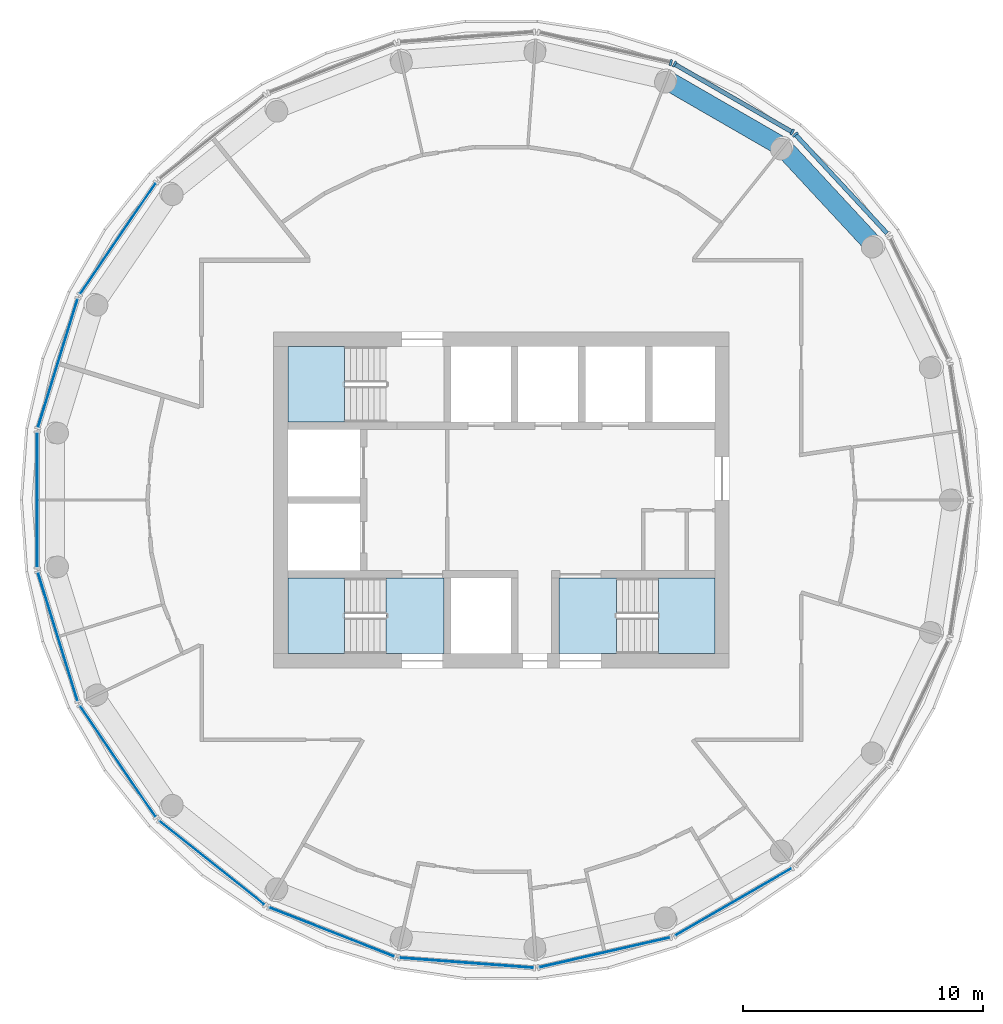
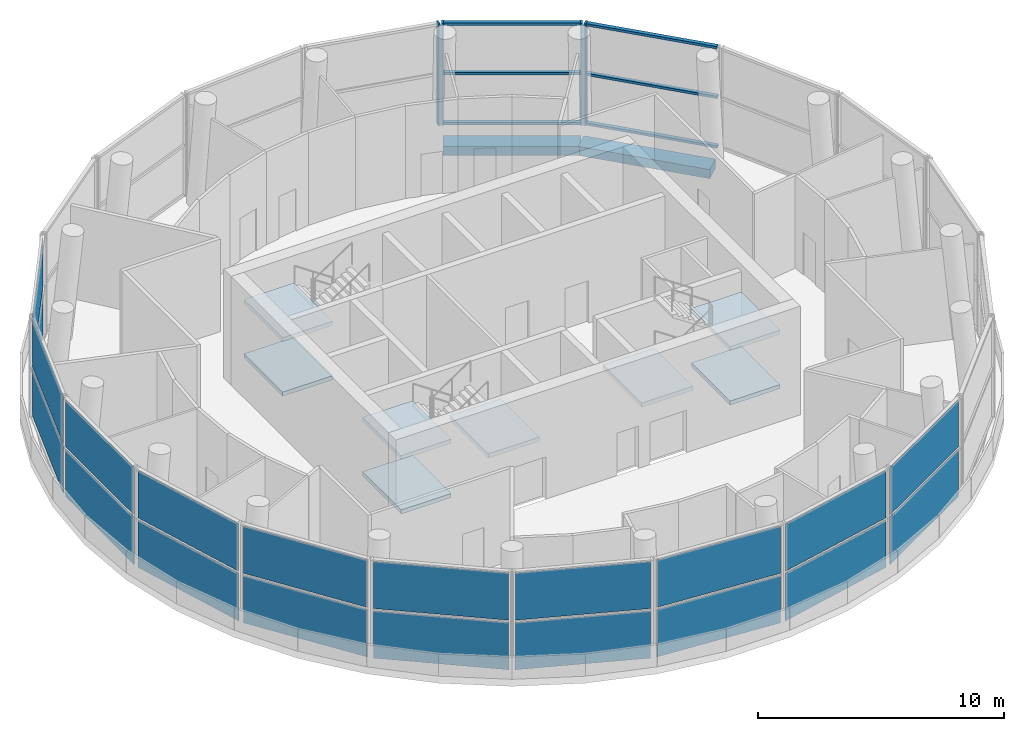
# One storey, part 3 of 11: 20 plates, 10 members, 8 slabs, 2 beams, 16 elements without a shape of their own.
"""IFC4 building model written with IfcOpenShell, lengths in metres."""

from ifc_helpers import new_model, si_unit, direction, frame, origin, origin_2d, place, context, subcontext, project, spatial, polyline, rectangle, outline, extrude, material, layer, layer_set, material_profile, profile_set, type_object, element, aggregate, save


model = new_model("IFC4")

# Units and contexts
model_context = context("Model", 3, precision=1e-05, world=origin(), true_north=direction((0.0, 1.0)))
body_context = subcontext(model_context, "Body", "Model", "MODEL_VIEW")
ifc_project = project(units=[si_unit("LENGTHUNIT", "METRE"), si_unit("AREAUNIT", "SQUARE_METRE"), si_unit("VOLUMEUNIT", "CUBIC_METRE"), si_unit("PLANEANGLEUNIT", "RADIAN"), si_unit("MASSUNIT", "GRAM", prefix="KILO")], contexts=[model_context])

# Site, building, storey
site_placement = place(None, origin())
site = spatial("IfcSite", under=ifc_project, at=site_placement, CompositionType="ELEMENT")
building_placement = place(site_placement, origin())
building = spatial("IfcBuilding", under=site, at=building_placement, Name="Tracery Tower", CompositionType="ELEMENT")
storey_placement = place(building_placement, frame((0.0, 0.0, 330.60009765625)))
storey = spatial("IfcBuildingStorey", under=building, at=storey_placement, Name="L86", CompositionType="ELEMENT", Elevation=330.60009765625)

# Curtain wall, member
ifc_material_1 = material(Name="Aluminium curtain wall with tinted glass", Category="aluminium")
curtain_wall_type = type_object("IfcCurtainWallType", Name="Glazed crown lower curtain wall", PredefinedType="NOTDEFINED", material=ifc_material_1)
curtain_wall_1_placement = place(storey_placement, origin())
curtain_wall_1 = element("IfcCurtainWall", 1, at=curtain_wall_1_placement, inside=storey, type_object=curtain_wall_type, Name="Glazed crown lower run 02", PredefinedType="NOTDEFINED")
ifc_material_2 = material(Name="Aluminium, bronze anodised", Category="aluminium")
ifc_material_profile_1 = material_profile(ifc_material_2, rectangle(XDim=0.260009765625, YDim=0.090087890625, at=origin_2d()), Name="Glazed crown lower mullion 90 x 260")
ifc_profile_set_1 = profile_set([ifc_material_profile_1], Name="Aluminium, bronze anodised")
member_type_1 = type_object("IfcMemberType", Name="Glazed crown lower mullion 90 x 260", PredefinedType="MULLION", material=ifc_profile_set_1)
member_1_placement = place(storey_placement, frame((12.260986328125, 15.23974609375, 0.0), z_axis=(0.0, 0.0, 1.0), x_axis=(-0.733054024264, -0.680170417991, 0.0)))
member_1 = element("IfcMember", 2, at=member_1_placement, type_object=member_type_1, Name="CWB2 mullion 2", PredefinedType="MULLION", context=body_context, shape_type="SweptSolid", body=[
    extrude(rectangle(XDim=0.260009765625, YDim=0.090087890625, at=origin_2d()), origin(), (0.0, 0.0, 1.0), 5.0498046875),
])

# Curtain wall, members
curtain_wall_2_placement = place(storey_placement, origin())
curtain_wall_2 = element("IfcCurtainWall", 3, at=curtain_wall_2_placement, inside=storey, type_object=curtain_wall_type, Name="Glazed crown lower run 03", PredefinedType="NOTDEFINED")
member_2_placement = place(storey_placement, frame((12.12939453125, 15.3447265625, 0.0), z_axis=(0.0, 0.0, 1.0), x_axis=(-0.499993240242, -0.866029306498, 0.0)))
member_2 = element("IfcMember", 4, at=member_2_placement, type_object=member_type_1, Name="CWB2 mullion 1", PredefinedType="MULLION", context=body_context, shape_type="SweptSolid", body=[
    extrude(rectangle(XDim=0.260009765625, YDim=0.090087890625, at=origin_2d()), origin(), (0.0, 0.0, 1.0), 5.0498046875),
])
member_3_placement = place(storey_placement, frame((7.22412109375, 18.1767578125, 0.0), z_axis=(0.0, 0.0, 1.0), x_axis=(-0.499993240242, -0.866029306498, 0.0)))
member_3 = element("IfcMember", 5, at=member_3_placement, type_object=member_type_1, Name="CWB2 mullion 2", PredefinedType="MULLION", context=body_context, shape_type="SweptSolid", body=[
    extrude(rectangle(XDim=0.260009765625, YDim=0.090087890625, at=origin_2d()), origin(), (0.0, 0.0, 1.0), 5.0498046875),
])

# Curtain wall, member
curtain_wall_3_placement = place(storey_placement, origin())
curtain_wall_3 = element("IfcCurtainWall", 6, at=curtain_wall_3_placement, inside=storey, type_object=curtain_wall_type, Name="Glazed crown lower run 04", PredefinedType="NOTDEFINED")
member_4_placement = place(storey_placement, frame((7.067626953125, 18.238037109375, 0.0), z_axis=(0.0, 0.0, 1.0), x_axis=(-0.22253364184, -0.974925011603, 0.0)))
member_4 = element("IfcMember", 7, at=member_4_placement, type_object=member_type_1, Name="CWB2 mullion 1", PredefinedType="MULLION", context=body_context, shape_type="SweptSolid", body=[
    extrude(rectangle(XDim=0.260009765625, YDim=0.090087890625, at=origin_2d()), origin(), (0.0, 0.0, 1.0), 5.0498046875),
])
aggregate(curtain_wall_3, [member_4])

# Member
ifc_material_3 = material(Name="Aluminium, bronze anodised", Category="aluminium")
ifc_material_profile_2 = material_profile(ifc_material_3, rectangle(XDim=0.179931640625, YDim=0.1201171875, at=origin_2d()), Name="Glazed crown lower transom 120 x 180")
ifc_profile_set_2 = profile_set([ifc_material_profile_2], Name="Aluminium, bronze anodised")
member_type_2 = type_object("IfcMemberType", Name="Glazed crown lower transom 120 x 180", PredefinedType="USERDEFINED", material=ifc_profile_set_2)
member_5_placement = place(storey_placement, frame((16.082763671875, 11.12060546875, 0.059814453125), z_axis=(-0.680157050289, 0.733066427374, 0.0), x_axis=(-0.733066427374, -0.680157050289, 0.0)))
member_5 = element("IfcMember", 8, at=member_5_placement, type_object=member_type_2, Name="CWB2 transom 1.1", ObjectType="TRANSOM", PredefinedType="USERDEFINED", context=body_context, shape_type="SweptSolid", body=[
    extrude(rectangle(XDim=0.179931640625, YDim=0.1201171875, at=origin_2d()), origin(), (0.0, 0.0, 1.0), 5.573974609375),
])

member_6_placement = place(storey_placement, frame((16.082763671875, 11.12060546875, 2.52490234375), z_axis=(-0.680157050289, 0.733066427374, 0.0), x_axis=(-0.733066427374, -0.680157050289, 0.0)))
member_6 = element("IfcMember", 9, at=member_6_placement, type_object=member_type_2, Name="CWB2 transom 1.2", ObjectType="TRANSOM", PredefinedType="USERDEFINED", context=body_context, shape_type="SweptSolid", body=[
    extrude(rectangle(XDim=0.179931640625, YDim=0.1201171875, at=origin_2d()), origin(), (0.0, 0.0, 1.0), 5.573974609375),
])

member_7_placement = place(storey_placement, frame((16.082763671875, 11.12060546875, 4.989990234375), z_axis=(-0.680157050289, 0.733066427374, 0.0), x_axis=(-0.733066427374, -0.680157050289, 0.0)))
member_7 = element("IfcMember", 10, at=member_7_placement, type_object=member_type_2, Name="CWB2 transom 1.3", ObjectType="TRANSOM", PredefinedType="USERDEFINED", context=body_context, shape_type="SweptSolid", body=[
    extrude(rectangle(XDim=0.179931640625, YDim=0.1201171875, at=origin_2d()), origin(), (0.0, 0.0, 1.0), 5.573974609375),
])

aggregate(curtain_wall_1, [member_1, member_5, member_6, member_7])

member_8_placement = place(storey_placement, frame((12.090576171875, 15.3671875, 0.059814453125), z_axis=(-0.866024396211, 0.500001745165, 0.0), x_axis=(-0.500001745165, -0.866024396211, 0.0)))
member_8 = element("IfcMember", 11, at=member_8_placement, type_object=member_type_2, Name="CWB2 transom 1.1", ObjectType="TRANSOM", PredefinedType="USERDEFINED", context=body_context, shape_type="SweptSolid", body=[
    extrude(rectangle(XDim=0.179931640625, YDim=0.1201171875, at=origin_2d()), origin(), (0.0, 0.0, 1.0), 5.57421875),
])

member_9_placement = place(storey_placement, frame((12.090576171875, 15.3671875, 2.52490234375), z_axis=(-0.866024396211, 0.500001745165, 0.0), x_axis=(-0.500001745165, -0.866024396211, 0.0)))
member_9 = element("IfcMember", 12, at=member_9_placement, type_object=member_type_2, Name="CWB2 transom 1.2", ObjectType="TRANSOM", PredefinedType="USERDEFINED", context=body_context, shape_type="SweptSolid", body=[
    extrude(rectangle(XDim=0.179931640625, YDim=0.1201171875, at=origin_2d()), origin(), (0.0, 0.0, 1.0), 5.57421875),
])

member_10_placement = place(storey_placement, frame((12.090576171875, 15.3671875, 4.989990234375), z_axis=(-0.866024396211, 0.500001745165, 0.0), x_axis=(-0.500001745165, -0.866024396211, 0.0)))
member_10 = element("IfcMember", 13, at=member_10_placement, type_object=member_type_2, Name="CWB2 transom 1.3", ObjectType="TRANSOM", PredefinedType="USERDEFINED", context=body_context, shape_type="SweptSolid", body=[
    extrude(rectangle(XDim=0.179931640625, YDim=0.1201171875, at=origin_2d()), origin(), (0.0, 0.0, 1.0), 5.57421875),
])

aggregate(curtain_wall_2, [member_2, member_3, member_8, member_9, member_10])

# Beams
ifc_material_4 = material(Name="Concrete C40/50", Category="concrete")
ifc_material_profile_3 = material_profile(ifc_material_4, rectangle(XDim=0.800048828125, YDim=0.449951171875, at=origin_2d()), Name="RC 800x450")
ifc_profile_set_3 = profile_set([ifc_material_profile_3], Name="Concrete C40/50")
beam_type = type_object("IfcBeamType", Name="Perimeter band beam 800x450", PredefinedType="BEAM", material=ifc_profile_set_3)
beam_1_placement = place(storey_placement, frame((15.551513671875, 10.602783203125, -0.5751953125), z_axis=(-0.680155630824, 0.733067744386, 0.0), x_axis=(-0.733067744386, -0.680155630824, 0.0)))
element("IfcBeam", 14, at=beam_1_placement, inside=storey, type_object=beam_type, Name="Perimeter beam 2.02 under L86", PredefinedType="BEAM", context=body_context, shape_type="SweptSolid", body=[
    extrude(rectangle(XDim=0.800048828125, YDim=0.449951171875, at=origin_2d()), origin(), (0.0, 0.0, 1.0), 5.61083984375),
])
beam_2_placement = place(storey_placement, frame((11.7353515625, 14.7158203125, -0.5751953125), z_axis=(-0.866033412818, 0.49998612769, 0.0), x_axis=(-0.49998612769, -0.866033412818, 0.0)))
element("IfcBeam", 15, at=beam_2_placement, inside=storey, type_object=beam_type, Name="Perimeter beam 2.03 under L86", PredefinedType="BEAM", context=body_context, shape_type="SweptSolid", body=[
    extrude(rectangle(XDim=0.800048828125, YDim=0.449951171875, at=origin_2d()), origin(), (0.0, 0.0, 1.0), 5.610595703125),
])

# Curtain wall, plates
curtain_wall_4_placement = place(storey_placement, origin())
curtain_wall_4 = element("IfcCurtainWall", 16, at=curtain_wall_4_placement, inside=storey, type_object=curtain_wall_type, Name="Glazed crown lower run 08", PredefinedType="NOTDEFINED")
ifc_material_5 = material(Name="Tinted laminated glass", Category="glass")
ifc_layer_1 = layer(ifc_material_5, 0.031982421875)
ifc_layer_set_1 = layer_set([ifc_layer_1], Name="Glazed crown lower glass panel 32")
plate_type = type_object("IfcPlateType", Name="Glazed crown lower glass panel 32", PredefinedType="CURTAIN_PANEL", material=ifc_layer_set_1)
plate_1_placement = place(storey_placement, frame((-15.99072265625, 10.90234375, 0.1201171875), z_axis=(0.0, 0.0, 1.0), x_axis=(-0.563316871936, -0.826240946572, 0.0)))
plate_1 = element("IfcPlate", 17, at=plate_1_placement, type_object=plate_type, Name="CWB2 panel 1.1", PredefinedType="CURTAIN_PANEL", context=body_context, shape_type="SweptSolid", body=[
    extrude(rectangle(XDim=5.57421875, YDim=0.031982421875, at=origin_2d()), origin(), (0.0, 0.0, 1.0), 2.344970703125),
])
plate_2_placement = place(storey_placement, frame((-15.99072265625, 10.90234375, 2.5849609375), z_axis=(0.0, 0.0, 1.0), x_axis=(-0.563316871936, -0.826240946572, 0.0)))
plate_2 = element("IfcPlate", 18, at=plate_2_placement, type_object=plate_type, Name="CWB2 panel 1.2", PredefinedType="CURTAIN_PANEL", context=body_context, shape_type="SweptSolid", body=[
    extrude(rectangle(XDim=5.57421875, YDim=0.031982421875, at=origin_2d()), origin(), (0.0, 0.0, 1.0), 2.344970703125),
])
aggregate(curtain_wall_4, [plate_1, plate_2])

curtain_wall_5_placement = place(storey_placement, origin())
curtain_wall_5 = element("IfcCurtainWall", 19, at=curtain_wall_5_placement, inside=storey, type_object=curtain_wall_type, Name="Glazed crown lower run 09", PredefinedType="NOTDEFINED")
plate_3_placement = place(storey_placement, frame((-18.49365234375, 5.70458984375, 0.1201171875), z_axis=(0.0, 0.0, 1.0), x_axis=(-0.294761104549, -0.955570976561, 0.0)))
plate_3 = element("IfcPlate", 20, at=plate_3_placement, type_object=plate_type, Name="CWB2 panel 1.1", PredefinedType="CURTAIN_PANEL", context=body_context, shape_type="SweptSolid", body=[
    extrude(rectangle(XDim=5.57421875, YDim=0.031982421875, at=origin_2d()), origin(), (0.0, 0.0, 1.0), 2.344970703125),
])
plate_4_placement = place(storey_placement, frame((-18.49365234375, 5.70458984375, 2.5849609375), z_axis=(0.0, 0.0, 1.0), x_axis=(-0.294761104549, -0.955570976561, 0.0)))
plate_4 = element("IfcPlate", 21, at=plate_4_placement, type_object=plate_type, Name="CWB2 panel 1.2", PredefinedType="CURTAIN_PANEL", context=body_context, shape_type="SweptSolid", body=[
    extrude(rectangle(XDim=5.57421875, YDim=0.031982421875, at=origin_2d()), origin(), (0.0, 0.0, 1.0), 2.344970703125),
])
aggregate(curtain_wall_5, [plate_3, plate_4])

curtain_wall_6_placement = place(storey_placement, origin())
curtain_wall_6 = element("IfcCurtainWall", 22, at=curtain_wall_6_placement, inside=storey, type_object=curtain_wall_type, Name="Glazed crown lower run 10", PredefinedType="NOTDEFINED")
plate_5_placement = place(storey_placement, frame((-19.353515625, 0.0, 0.1201171875), z_axis=(0.0, 0.0, 1.0), x_axis=(0.0, -1.0, 0.0)))
plate_5 = element("IfcPlate", 23, at=plate_5_placement, type_object=plate_type, Name="CWB2 panel 1.1", PredefinedType="CURTAIN_PANEL", context=body_context, shape_type="SweptSolid", body=[
    extrude(rectangle(XDim=5.57421875, YDim=0.031982421875, at=origin_2d()), origin(), (0.0, 0.0, 1.0), 2.344970703125),
])
plate_6_placement = place(storey_placement, frame((-19.353515625, 0.0, 2.5849609375), z_axis=(0.0, 0.0, 1.0), x_axis=(0.0, -1.0, 0.0)))
plate_6 = element("IfcPlate", 24, at=plate_6_placement, type_object=plate_type, Name="CWB2 panel 1.2", PredefinedType="CURTAIN_PANEL", context=body_context, shape_type="SweptSolid", body=[
    extrude(rectangle(XDim=5.57421875, YDim=0.031982421875, at=origin_2d()), origin(), (0.0, 0.0, 1.0), 2.344970703125),
])
aggregate(curtain_wall_6, [plate_5, plate_6])

curtain_wall_7_placement = place(storey_placement, origin())
curtain_wall_7 = element("IfcCurtainWall", 25, at=curtain_wall_7_placement, inside=storey, type_object=curtain_wall_type, Name="Glazed crown lower run 11", PredefinedType="NOTDEFINED")
plate_7_placement = place(storey_placement, frame((-18.49365234375, -5.70458984375, 0.1201171875), z_axis=(0.0, 0.0, 1.0), x_axis=(0.294761104549, -0.955570976561, 0.0)))
plate_7 = element("IfcPlate", 26, at=plate_7_placement, type_object=plate_type, Name="CWB2 panel 1.1", PredefinedType="CURTAIN_PANEL", context=body_context, shape_type="SweptSolid", body=[
    extrude(rectangle(XDim=5.57421875, YDim=0.031982421875, at=origin_2d()), origin(), (0.0, 0.0, 1.0), 2.344970703125),
])
plate_8_placement = place(storey_placement, frame((-18.49365234375, -5.70458984375, 2.5849609375), z_axis=(0.0, 0.0, 1.0), x_axis=(0.294761104549, -0.955570976561, 0.0)))
plate_8 = element("IfcPlate", 27, at=plate_8_placement, type_object=plate_type, Name="CWB2 panel 1.2", PredefinedType="CURTAIN_PANEL", context=body_context, shape_type="SweptSolid", body=[
    extrude(rectangle(XDim=5.57421875, YDim=0.031982421875, at=origin_2d()), origin(), (0.0, 0.0, 1.0), 2.344970703125),
])
aggregate(curtain_wall_7, [plate_7, plate_8])

curtain_wall_8_placement = place(storey_placement, origin())
curtain_wall_8 = element("IfcCurtainWall", 28, at=curtain_wall_8_placement, inside=storey, type_object=curtain_wall_type, Name="Glazed crown lower run 12", PredefinedType="NOTDEFINED")
plate_9_placement = place(storey_placement, frame((-15.99072265625, -10.90234375, 0.1201171875), z_axis=(0.0, 0.0, 1.0), x_axis=(0.563316871936, -0.826240946572, 0.0)))
plate_9 = element("IfcPlate", 29, at=plate_9_placement, type_object=plate_type, Name="CWB2 panel 1.1", PredefinedType="CURTAIN_PANEL", context=body_context, shape_type="SweptSolid", body=[
    extrude(rectangle(XDim=5.57421875, YDim=0.031982421875, at=origin_2d()), origin(), (0.0, 0.0, 1.0), 2.344970703125),
])
plate_10_placement = place(storey_placement, frame((-15.99072265625, -10.90234375, 2.5849609375), z_axis=(0.0, 0.0, 1.0), x_axis=(0.563316871936, -0.826240946572, 0.0)))
plate_10 = element("IfcPlate", 30, at=plate_10_placement, type_object=plate_type, Name="CWB2 panel 1.2", PredefinedType="CURTAIN_PANEL", context=body_context, shape_type="SweptSolid", body=[
    extrude(rectangle(XDim=5.57421875, YDim=0.031982421875, at=origin_2d()), origin(), (0.0, 0.0, 1.0), 2.344970703125),
])
aggregate(curtain_wall_8, [plate_9, plate_10])

curtain_wall_9_placement = place(storey_placement, origin())
curtain_wall_9 = element("IfcCurtainWall", 31, at=curtain_wall_9_placement, inside=storey, type_object=curtain_wall_type, Name="Glazed crown lower run 13", PredefinedType="NOTDEFINED")
plate_11_placement = place(storey_placement, frame((-12.06689453125, -15.13134765625, 0.1201171875), z_axis=(0.0, 0.0, 1.0), x_axis=(0.781829219055, -0.623492640079, 0.0)))
plate_11 = element("IfcPlate", 32, at=plate_11_placement, type_object=plate_type, Name="CWB2 panel 1.1", PredefinedType="CURTAIN_PANEL", context=body_context, shape_type="SweptSolid", body=[
    extrude(rectangle(XDim=5.57421875, YDim=0.031982421875, at=origin_2d()), origin(), (0.0, 0.0, 1.0), 2.344970703125),
])
plate_12_placement = place(storey_placement, frame((-12.06689453125, -15.13134765625, 2.5849609375), z_axis=(0.0, 0.0, 1.0), x_axis=(0.781829219055, -0.623492640079, 0.0)))
plate_12 = element("IfcPlate", 33, at=plate_12_placement, type_object=plate_type, Name="CWB2 panel 1.2", PredefinedType="CURTAIN_PANEL", context=body_context, shape_type="SweptSolid", body=[
    extrude(rectangle(XDim=5.57421875, YDim=0.031982421875, at=origin_2d()), origin(), (0.0, 0.0, 1.0), 2.344970703125),
])
aggregate(curtain_wall_9, [plate_11, plate_12])

curtain_wall_10_placement = place(storey_placement, origin())
curtain_wall_10 = element("IfcCurtainWall", 34, at=curtain_wall_10_placement, inside=storey, type_object=curtain_wall_type, Name="Glazed crown lower run 14", PredefinedType="NOTDEFINED")
plate_13_placement = place(storey_placement, frame((-7.07080078125, -18.015869140625, 0.1201171875), z_axis=(0.0, 0.0, 1.0), x_axis=(0.930869734741, -0.365351251459, 0.0)))
plate_13 = element("IfcPlate", 35, at=plate_13_placement, type_object=plate_type, Name="CWB2 panel 1.1", PredefinedType="CURTAIN_PANEL", context=body_context, shape_type="SweptSolid", body=[
    extrude(rectangle(XDim=5.57421875, YDim=0.031982421875, at=origin_2d()), origin(), (0.0, 0.0, 1.0), 2.344970703125),
])
plate_14_placement = place(storey_placement, frame((-7.07080078125, -18.015869140625, 2.5849609375), z_axis=(0.0, 0.0, 1.0), x_axis=(0.930869734741, -0.365351251459, 0.0)))
plate_14 = element("IfcPlate", 36, at=plate_14_placement, type_object=plate_type, Name="CWB2 panel 1.2", PredefinedType="CURTAIN_PANEL", context=body_context, shape_type="SweptSolid", body=[
    extrude(rectangle(XDim=5.57421875, YDim=0.031982421875, at=origin_2d()), origin(), (0.0, 0.0, 1.0), 2.344970703125),
])
aggregate(curtain_wall_10, [plate_13, plate_14])

curtain_wall_11_placement = place(storey_placement, origin())
curtain_wall_11 = element("IfcCurtainWall", 37, at=curtain_wall_11_placement, inside=storey, type_object=curtain_wall_type, Name="Glazed crown lower run 15", PredefinedType="NOTDEFINED")
plate_15_placement = place(storey_placement, frame((-1.4462890625, -19.299560546875, 0.1201171875), z_axis=(0.0, 0.0, 1.0), x_axis=(0.997203844509, -0.074729462035, 0.0)))
plate_15 = element("IfcPlate", 38, at=plate_15_placement, type_object=plate_type, Name="CWB2 panel 1.1", PredefinedType="CURTAIN_PANEL", context=body_context, shape_type="SweptSolid", body=[
    extrude(rectangle(XDim=5.573974609375, YDim=0.031982421875, at=origin_2d()), origin(), (0.0, 0.0, 1.0), 2.344970703125),
])
plate_16_placement = place(storey_placement, frame((-1.4462890625, -19.299560546875, 2.5849609375), z_axis=(0.0, 0.0, 1.0), x_axis=(0.997203844509, -0.074729462035, 0.0)))
plate_16 = element("IfcPlate", 39, at=plate_16_placement, type_object=plate_type, Name="CWB2 panel 1.2", PredefinedType="CURTAIN_PANEL", context=body_context, shape_type="SweptSolid", body=[
    extrude(rectangle(XDim=5.573974609375, YDim=0.031982421875, at=origin_2d()), origin(), (0.0, 0.0, 1.0), 2.344970703125),
])
aggregate(curtain_wall_11, [plate_15, plate_16])

curtain_wall_12_placement = place(storey_placement, origin())
curtain_wall_12 = element("IfcCurtainWall", 40, at=curtain_wall_12_placement, inside=storey, type_object=curtain_wall_type, Name="Glazed crown lower run 16", PredefinedType="NOTDEFINED")
plate_17_placement = place(storey_placement, frame((4.306640625, -18.868408203125, 0.1201171875), z_axis=(0.0, 0.0, 1.0), x_axis=(0.974925011603, 0.22253364184, 0.0)))
plate_17 = element("IfcPlate", 41, at=plate_17_placement, type_object=plate_type, Name="CWB2 panel 1.1", PredefinedType="CURTAIN_PANEL", context=body_context, shape_type="SweptSolid", body=[
    extrude(rectangle(XDim=5.57421875, YDim=0.031982421875, at=origin_2d()), origin(), (0.0, 0.0, 1.0), 2.344970703125),
])
plate_18_placement = place(storey_placement, frame((4.306640625, -18.868408203125, 2.5849609375), z_axis=(0.0, 0.0, 1.0), x_axis=(0.974925011603, 0.22253364184, 0.0)))
plate_18 = element("IfcPlate", 42, at=plate_18_placement, type_object=plate_type, Name="CWB2 panel 1.2", PredefinedType="CURTAIN_PANEL", context=body_context, shape_type="SweptSolid", body=[
    extrude(rectangle(XDim=5.57421875, YDim=0.031982421875, at=origin_2d()), origin(), (0.0, 0.0, 1.0), 2.344970703125),
])
aggregate(curtain_wall_12, [plate_17, plate_18])

curtain_wall_13_placement = place(storey_placement, origin())
curtain_wall_13 = element("IfcCurtainWall", 43, at=curtain_wall_13_placement, inside=storey, type_object=curtain_wall_type, Name="Glazed crown lower run 17", PredefinedType="NOTDEFINED")
plate_19_placement = place(storey_placement, frame((9.6767578125, -16.7607421875, 0.1201171875), z_axis=(0.0, 0.0, 1.0), x_axis=(0.866029306498, 0.499993240242, 0.0)))
plate_19 = element("IfcPlate", 44, at=plate_19_placement, type_object=plate_type, Name="CWB2 panel 1.1", PredefinedType="CURTAIN_PANEL", context=body_context, shape_type="SweptSolid", body=[
    extrude(rectangle(XDim=5.573974609375, YDim=0.031982421875, at=origin_2d()), origin(), (0.0, 0.0, 1.0), 2.344970703125),
])
plate_20_placement = place(storey_placement, frame((9.6767578125, -16.7607421875, 2.5849609375), z_axis=(0.0, 0.0, 1.0), x_axis=(0.866029306498, 0.499993240242, 0.0)))
plate_20 = element("IfcPlate", 45, at=plate_20_placement, type_object=plate_type, Name="CWB2 panel 1.2", PredefinedType="CURTAIN_PANEL", context=body_context, shape_type="SweptSolid", body=[
    extrude(rectangle(XDim=5.573974609375, YDim=0.031982421875, at=origin_2d()), origin(), (0.0, 0.0, 1.0), 2.344970703125),
])
aggregate(curtain_wall_13, [plate_19, plate_20])

# Stair, slabs
ifc_material_6 = material(Name="Concrete C32/40", Category="concrete")
stair_type = type_object("IfcStairType", Name="Core stair 32 risers", PredefinedType="HALF_TURN_STAIR", material=ifc_material_6)
stair_1_placement = place(storey_placement, origin())
stair_1 = element("IfcStair", 46, at=stair_1_placement, inside=storey, type_object=stair_type, Name="L86 stair ST1", PredefinedType="HALF_TURN_STAIR")
ifc_material_7 = material(Name="Concrete C32/40", Category="concrete")
ifc_layer_2 = layer(ifc_material_7, 0.199951171875)
ifc_layer_set_2 = layer_set([ifc_layer_2], Name="Stair landing slab 200")
slab_type = type_object("IfcSlabType", Name="Stair landing slab 200", PredefinedType="LANDING", material=ifc_layer_set_2)
slab_1_placement = place(storey_placement, frame((0.0, 0.0, 1.14990234375)))
slab_1 = element("IfcSlab", 47, at=slab_1_placement, type_object=slab_type, Name="ST1 landing 1", PredefinedType="LANDING", context=body_context, shape_type="SweptSolid", body=[
    extrude(outline(polyline([(-6.54931640625, -3.25), (-8.89990234375, -3.25), (-8.89990234375, -6.39990234375), (-6.54931640625, -6.39990234375), (-6.54931640625, -3.25)])), origin(), (0.0, 0.0, 1.0), 0.199951171875),
])
slab_2_placement = place(storey_placement, frame((0.0, 0.0, 2.5)))
slab_2 = element("IfcSlab", 48, at=slab_2_placement, type_object=slab_type, Name="ST1 landing 2", PredefinedType="LANDING", context=body_context, shape_type="SweptSolid", body=[
    extrude(outline(polyline([(-2.39990234375, -3.25), (-4.800537109375, -3.25), (-4.800537109375, -6.39990234375), (-2.39990234375, -6.39990234375), (-2.39990234375, -3.25)])), origin(), (0.0, 0.0, 1.0), 0.199951171875),
])
slab_3_placement = place(storey_placement, frame((0.0, 0.0, 3.849853515625)))
slab_3 = element("IfcSlab", 49, at=slab_3_placement, type_object=slab_type, Name="ST1 landing 3", PredefinedType="LANDING", context=body_context, shape_type="SweptSolid", body=[
    extrude(outline(polyline([(-6.54931640625, -3.25), (-8.89990234375, -3.25), (-8.89990234375, -6.39990234375), (-6.54931640625, -6.39990234375), (-6.54931640625, -3.25)])), origin(), (0.0, 0.0, 1.0), 0.199951171875),
])
aggregate(stair_1, [slab_1, slab_2, slab_3])

stair_2_placement = place(storey_placement, origin())
stair_2 = element("IfcStair", 50, at=stair_2_placement, inside=storey, type_object=stair_type, Name="L86 stair ST3", PredefinedType="HALF_TURN_STAIR")
slab_4_placement = place(storey_placement, frame((0.0, 0.0, 1.14990234375)))
slab_4 = element("IfcSlab", 51, at=slab_4_placement, type_object=slab_type, Name="ST3 landing 1", PredefinedType="LANDING", context=body_context, shape_type="SweptSolid", body=[
    extrude(outline(polyline([(-6.54931640625, 6.39990234375), (-8.89990234375, 6.39990234375), (-8.89990234375, 3.25), (-6.54931640625, 3.25), (-6.54931640625, 6.39990234375)])), origin(), (0.0, 0.0, 1.0), 0.199951171875),
])
slab_5_placement = place(storey_placement, frame((0.0, 0.0, 3.849853515625)))
slab_5 = element("IfcSlab", 52, at=slab_5_placement, type_object=slab_type, Name="ST3 landing 3", PredefinedType="LANDING", context=body_context, shape_type="SweptSolid", body=[
    extrude(outline(polyline([(-6.54931640625, 6.39990234375), (-8.89990234375, 6.39990234375), (-8.89990234375, 3.25), (-6.54931640625, 3.25), (-6.54931640625, 6.39990234375)])), origin(), (0.0, 0.0, 1.0), 0.199951171875),
])
aggregate(stair_2, [slab_4, slab_5])

stair_3_placement = place(storey_placement, origin())
stair_3 = element("IfcStair", 53, at=stair_3_placement, inside=storey, type_object=stair_type, Name="L86 stair ST2", PredefinedType="HALF_TURN_STAIR")
slab_6_placement = place(storey_placement, frame((0.0, 0.0, 1.14990234375)))
slab_6 = element("IfcSlab", 54, at=slab_6_placement, type_object=slab_type, Name="ST2 landing 1", PredefinedType="LANDING", context=body_context, shape_type="SweptSolid", body=[
    extrude(outline(polyline([(6.54931640625, -6.39990234375), (8.89990234375, -6.39990234375), (8.89990234375, -3.25), (6.54931640625, -3.25), (6.54931640625, -6.39990234375)])), origin(), (0.0, 0.0, 1.0), 0.199951171875),
])
slab_7_placement = place(storey_placement, frame((0.0, 0.0, 2.5)))
slab_7 = element("IfcSlab", 55, at=slab_7_placement, type_object=slab_type, Name="ST2 landing 2", PredefinedType="LANDING", context=body_context, shape_type="SweptSolid", body=[
    extrude(outline(polyline([(2.39990234375, -6.39990234375), (4.800537109375, -6.39990234375), (4.800537109375, -3.25), (2.39990234375, -3.25), (2.39990234375, -6.39990234375)])), origin(), (0.0, 0.0, 1.0), 0.199951171875),
])
slab_8_placement = place(storey_placement, frame((0.0, 0.0, 3.849853515625)))
slab_8 = element("IfcSlab", 56, at=slab_8_placement, type_object=slab_type, Name="ST2 landing 3", PredefinedType="LANDING", context=body_context, shape_type="SweptSolid", body=[
    extrude(outline(polyline([(6.54931640625, -6.39990234375), (8.89990234375, -6.39990234375), (8.89990234375, -3.25), (6.54931640625, -3.25), (6.54931640625, -6.39990234375)])), origin(), (0.0, 0.0, 1.0), 0.199951171875),
])
aggregate(stair_3, [slab_6, slab_7, slab_8])

save(model, "model.ifc")
